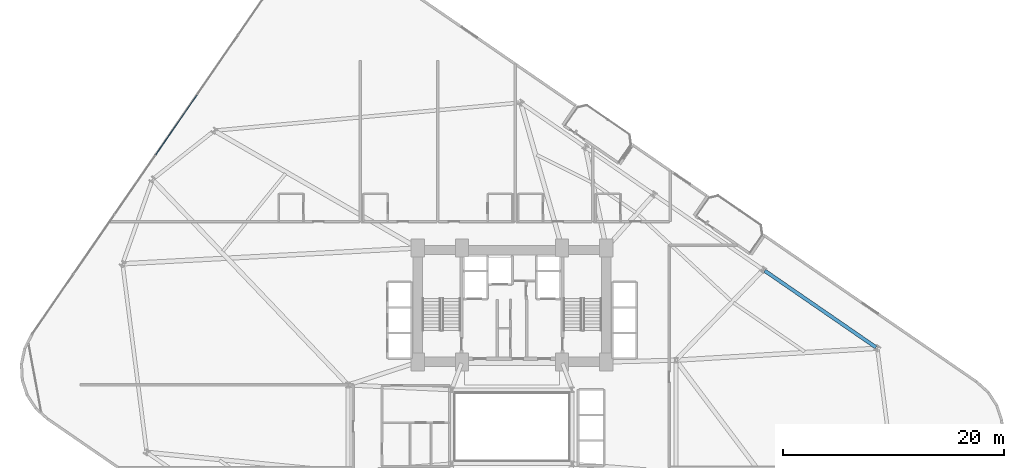
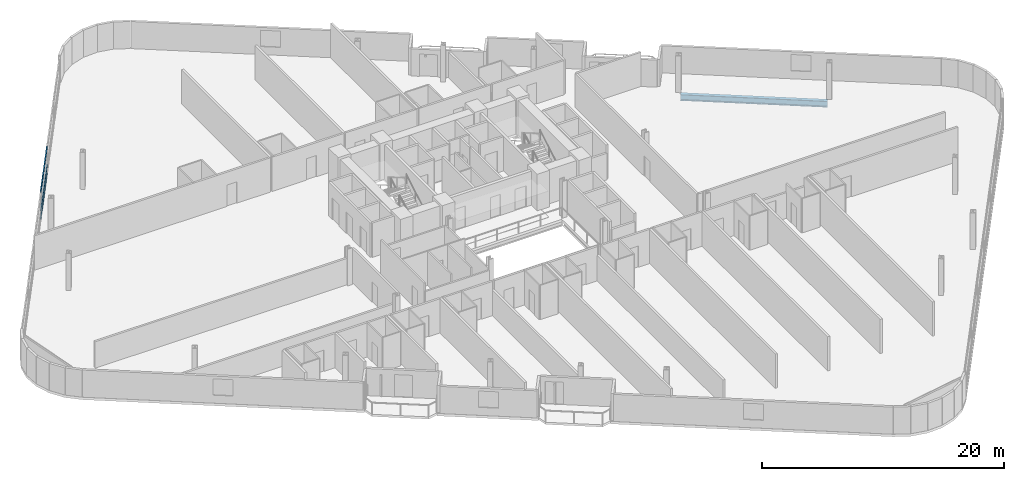
# One storey, part 14 of 27: 3 members, 1 beam, 1 element without a shape of its own.
"""IFC4 building model written with IfcOpenShell, lengths in metres."""

from ifc_helpers import new_model, si_unit, direction, frame, origin, origin_2d, place, context, subcontext, project, spatial, hollow_rectangle, i_section, extrude, material, layer, layer_set, material_profile, profile_set, type_object, element, aggregate, save


model = new_model("IFC4")

# Units and contexts
model_context = context("Model", 3, precision=1e-05, world=origin(), true_north=direction((0.0, 1.0)))
body_context = subcontext(model_context, "Body", "Model", "MODEL_VIEW")
ifc_project = project(units=[si_unit("LENGTHUNIT", "METRE"), si_unit("AREAUNIT", "SQUARE_METRE"), si_unit("VOLUMEUNIT", "CUBIC_METRE"), si_unit("PLANEANGLEUNIT", "RADIAN"), si_unit("MASSUNIT", "GRAM", prefix="KILO")], contexts=[model_context])

# Site, building, storey
site_placement = place(None, origin())
site = spatial("IfcSite", under=ifc_project, at=site_placement, CompositionType="ELEMENT")
building_placement = place(site_placement, origin())
building = spatial("IfcBuilding", under=site, at=building_placement, Name="Varnelok Gate Tower", CompositionType="ELEMENT")
storey_placement = place(building_placement, frame((0.0, 0.0, 30.699951171875)))
storey = spatial("IfcBuildingStorey", under=building, at=storey_placement, Name="L06", CompositionType="ELEMENT", Elevation=30.699951171875)

# Beam
ifc_material_1 = material(Name="Structural Steel ASTM A992 Grade 50", Category="steel")
ifc_material_profile_1 = material_profile(ifc_material_1, i_section(OverallWidth=0.323974609375, OverallDepth=0.611083984375, WebThickness=0.0126953125, FlangeThickness=0.01904296875, FilletRadius=0.01806640625, at=origin_2d()), Name="W24X104")
ifc_profile_set_1 = profile_set([ifc_material_profile_1], Name="Structural Steel ASTM A992 Grade 50")
beam_type = type_object("IfcBeamType", Name="BM-SPN-W24X104", PredefinedType="SPANDREL", material=ifc_profile_set_1)
beam_placement = place(storey_placement, frame((72.06201171875, 30.08251953125, -0.555419921875), z_axis=(-0.823543541425, 0.567253061144, 0.0), x_axis=(-0.567253061144, -0.823543541425, 0.0)))
element("IfcBeam", 1, at=beam_placement, inside=storey, type_object=beam_type, Name="L06 Perimeter Spandrel Beam 9", PredefinedType="SPANDREL", context=body_context, shape_type="SweptSolid", body=[
    extrude(i_section(OverallWidth=0.323974609375, OverallDepth=0.611083984375, WebThickness=0.0126953125, FlangeThickness=0.01904296875, FilletRadius=0.01806640625, at=origin_2d()), origin(), (0.0, 0.0, 1.0), 12.199951171875),
])

# Curtain wall, members
ifc_material_2 = material(Name="Anodized Aluminum Alloy 6063-T6", Category="aluminium")
ifc_layer = layer(ifc_material_2, 0.179931640625)
ifc_layer_set = layer_set([ifc_layer], Name="Anodized Aluminum Alloy 6063-T6")
curtain_wall_type = type_object("IfcCurtainWallType", Name="CW3-HOTEL-VISION", PredefinedType="USERDEFINED", material=ifc_layer_set)
curtain_wall_placement = place(storey_placement, origin())
curtain_wall = element("IfcCurtainWall", 2, at=curtain_wall_placement, inside=storey, type_object=curtain_wall_type, Name="L06 West End Vision Curtain Wall", ObjectType="UNITISED CURTAIN WALL", PredefinedType="USERDEFINED")
ifc_material_profile_2 = material_profile(ifc_material_2, hollow_rectangle(XDim=0.06494140625, YDim=0.159912109375, WallThickness=0.00390625, at=origin_2d()), Name="ALU160X65X4")
ifc_profile_set_2 = profile_set([ifc_material_profile_2], Name="Anodized Aluminum Alloy 6063-T6")
member_type = type_object("IfcMemberType", Name="CW-TRAN-160", PredefinedType="USERDEFINED", material=ifc_profile_set_2)
member_1_placement = place(storey_placement, frame((7.05126953125, 47.484375, 0.032470703125), z_axis=(0.567279204469, 0.823525533409, 0.0), x_axis=(-0.823525533409, 0.567279204469, 0.0)))
member_1 = element("IfcMember", 3, at=member_1_placement, type_object=member_type, Name="CW3 transom 4.1", ObjectType="TRANSOM", PredefinedType="USERDEFINED", context=body_context, shape_type="SweptSolid", body=[
    extrude(hollow_rectangle(XDim=0.06494140625, YDim=0.159912109375, WallThickness=0.00390625, at=origin_2d()), origin(), (0.0, 0.0, 1.0), 6.501708984375),
])
member_2_placement = place(storey_placement, frame((7.05126953125, 47.484375, 0.900146484375), z_axis=(0.567279204469, 0.823525533409, 0.0), x_axis=(-0.823525533409, 0.567279204469, 0.0)))
member_2 = element("IfcMember", 4, at=member_2_placement, type_object=member_type, Name="CW3 transom 4.2", ObjectType="TRANSOM", PredefinedType="USERDEFINED", context=body_context, shape_type="SweptSolid", body=[
    extrude(hollow_rectangle(XDim=0.06494140625, YDim=0.159912109375, WallThickness=0.00390625, at=origin_2d()), origin(), (0.0, 0.0, 1.0), 6.501708984375),
])
member_3_placement = place(storey_placement, frame((7.05126953125, 47.484375, 2.697509765625), z_axis=(0.567279204469, 0.823525533409, 0.0), x_axis=(-0.823525533409, 0.567279204469, 0.0)))
member_3 = element("IfcMember", 5, at=member_3_placement, type_object=member_type, Name="CW3 transom 4.3", ObjectType="TRANSOM", PredefinedType="USERDEFINED", context=body_context, shape_type="SweptSolid", body=[
    extrude(hollow_rectangle(XDim=0.06494140625, YDim=0.159912109375, WallThickness=0.00390625, at=origin_2d()), origin(), (0.0, 0.0, 1.0), 6.501708984375),
])
aggregate(curtain_wall, [member_1, member_2, member_3])

save(model, "model.ifc")
